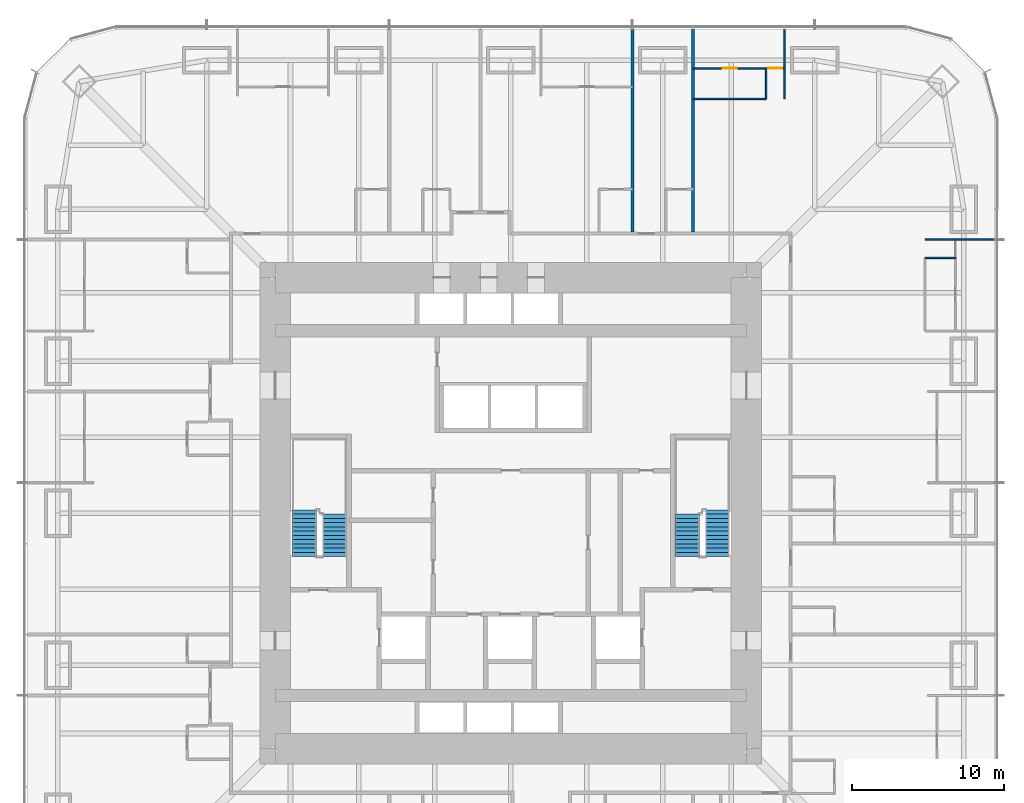
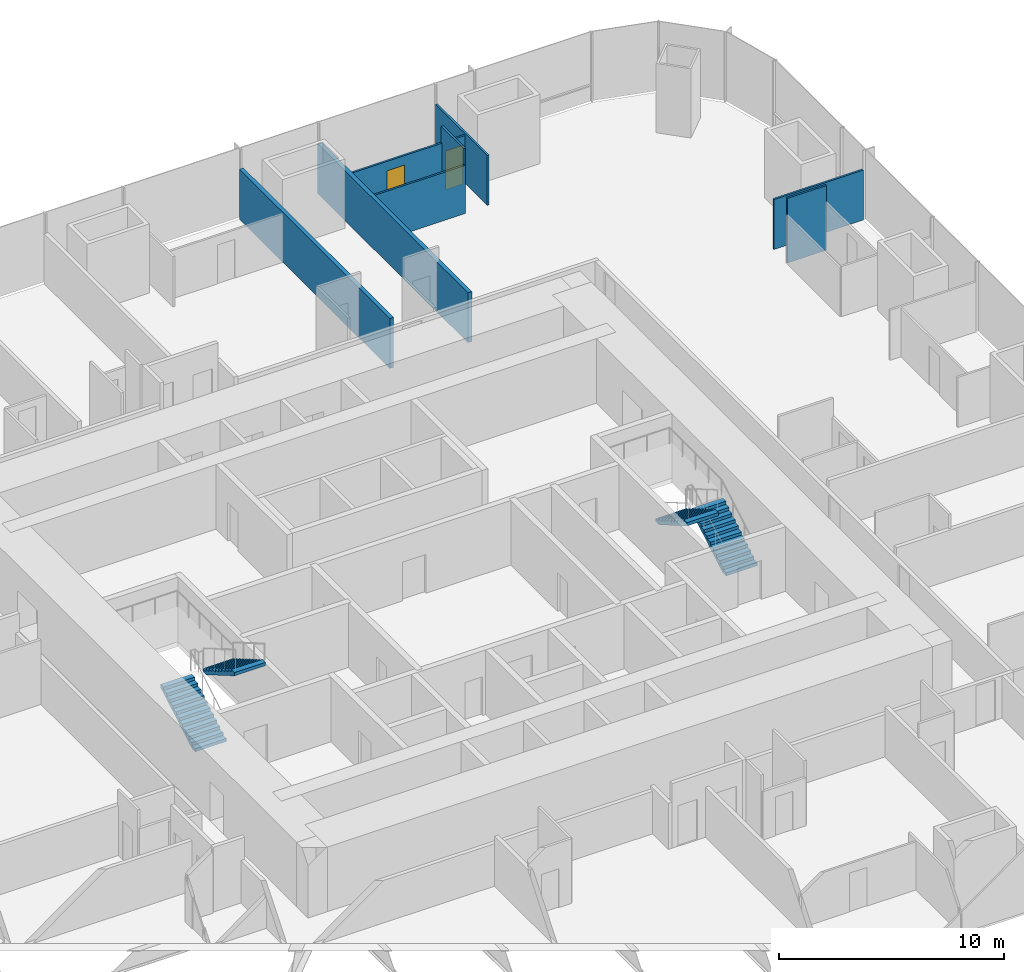
# One storey, part 19 of 20: 8 walls, 4 stair flights, 2 doors, 2 openings, 2 elements without a shape of their own.
"""IFC4 building model written with IfcOpenShell, lengths in metres."""

from ifc_helpers import new_model, si_unit, direction, frame, frame_2d, origin, place, context, subcontext, project, spatial, polyline, rectangle, outline, extrude, material, layer, layer_set, type_object, element, fill, aggregate, save


model = new_model("IFC4")

# Units and contexts
model_context = context("Model", 3, precision=1e-05, world=origin(), true_north=direction((0.0, 1.0)))
body_context = subcontext(model_context, "Body", "Model", "MODEL_VIEW")
ifc_project = project(units=[si_unit("LENGTHUNIT", "METRE"), si_unit("AREAUNIT", "SQUARE_METRE"), si_unit("VOLUMEUNIT", "CUBIC_METRE"), si_unit("PLANEANGLEUNIT", "RADIAN"), si_unit("MASSUNIT", "GRAM", prefix="KILO")], contexts=[model_context])

# Site, building, storey
site_placement = place(None, origin())
site = spatial("IfcSite", under=ifc_project, at=site_placement, CompositionType="ELEMENT")
building_placement = place(site_placement, origin())
building = spatial("IfcBuilding", under=site, at=building_placement, Name="Khuree Lantern Residences", CompositionType="ELEMENT")
storey_placement = place(building_placement, frame((0.0, 0.0, 28.5)))
storey = spatial("IfcBuildingStorey", under=building, at=storey_placement, Name="L06", CompositionType="ELEMENT", Elevation=28.5)

# Walls
ifc_material_1 = material(Name="Gypsum board on steel studs", Category="steel")
ifc_layer_1 = layer(ifc_material_1, 0.199951171875)
ifc_layer_set_1 = layer_set([ifc_layer_1], Name="DEMISING WALL DMW200 EI 90")
wall_type_1 = type_object("IfcWallType", Name="DEMISING WALL DMW200 EI 90", PredefinedType="PARTITIONING", material=ifc_layer_set_1)
for number, where, z_axis, x_axis, name in (
    (1, (12.0, 18.5, 0.0), (0.0, 0.0, 1.0), (0.0, 1.0, 0.0), "L06 DEMISING WALL 03"),
    (2, (8.0, 18.5, 0.0), (0.0, 0.0, 1.0), (0.0, 1.0, 0.0), "L06 DEMISING WALL 04"),
):
    element("IfcWall", number, at=place(storey_placement, frame(where, z_axis=z_axis, x_axis=x_axis)), inside=storey, type_object=wall_type_1, Name=name, PredefinedType="PARTITIONING", context=body_context, shape_type="SweptSolid", body=[
        extrude(rectangle(XDim=13.35009765625, YDim=0.199951171875, at=frame_2d((6.675048828125, 0.0))), origin(), (0.0, 0.0, 1.0), 2.7099609375),
    ])
ifc_layer_2 = layer(ifc_material_1, 0.10009765625)
ifc_layer_set_2 = layer_set([ifc_layer_2], Name="PARTITION PT100")
wall_type_2 = type_object("IfcWallType", Name="PARTITION PT100", PredefinedType="PARTITIONING", material=ifc_layer_set_2)
for number, where, z_axis, x_axis, name in (
    (3, (27.2666015625, 18.0, 0.0), (0.0, 0.0, 1.0), (1.0, 0.0, 0.0), "L06 PARTITION 02"),
    (4, (18.0, 27.2666015625, 0.0), (0.0, 0.0, 1.0), (0.0, 1.0, 0.0), "L06 PARTITION 02"),
):
    element("IfcWall", number, at=place(storey_placement, frame(where, z_axis=z_axis, x_axis=x_axis)), inside=storey, type_object=wall_type_2, Name=name, PredefinedType="PARTITIONING", context=body_context, shape_type="SweptSolid", body=[
        extrude(rectangle(XDim=4.58349609375, YDim=0.10009765625, at=frame_2d((2.291748046875, 0.0))), origin(), (0.0, 0.0, 1.0), 2.7099609375),
    ])
wall_1_placement = place(storey_placement, frame((27.2666015625, 16.800048828125, 0.0), z_axis=(0.0, 0.0, 1.0), x_axis=(1.0, 0.0, 0.0)))
element("IfcWall", 5, at=wall_1_placement, inside=storey, type_object=wall_type_2, Name="L06 PARTITION 02", PredefinedType="PARTITIONING", context=body_context, shape_type="SweptSolid", body=[
    extrude(rectangle(XDim=2.0, YDim=0.10009765625, at=frame_2d((1.0, 0.0))), origin(), (0.0, 0.0, 1.0), 3.5),
])

# Wall, openings, doors
wall_2_placement = place(storey_placement, frame((18.0, 29.2666015625, 0.0), z_axis=(0.0, 0.0, 1.0), x_axis=(-1.0, 0.0, 0.0)))
wall_2 = element("IfcWall", 6, at=wall_2_placement, inside=storey, type_object=wall_type_2, Name="L06 PARTITION 02", PredefinedType="PARTITIONING", context=body_context, shape_type="SweptSolid", body=[
    extrude(rectangle(XDim=6.0, YDim=0.10009765625, at=frame_2d((3.0, 0.0))), origin(), (0.0, 0.0, 1.0), 2.610107421875),
])
opening_1_placement = place(wall_2_placement, frame((0.14990234375, 0.0, 0.0)))
opening_1 = element("IfcOpeningElement", 7, at=opening_1_placement, cuts=wall_2, Name="Opening 06-026", PredefinedType="OPENING", context=body_context, shape_type="SweptSolid", body=[
    extrude(rectangle(XDim=0.89990234375, YDim=2.10009765625, at=frame_2d((0.449951171875, 1.050048828125))), frame((0.0, 0.06005859375, 0.0), z_axis=(0.0, -1.0, 0.0), x_axis=(1.0, 0.0, 0.0)), (0.0, 0.0, 1.0), 0.1201171875),
])
opening_2_placement = place(wall_2_placement, frame((3.14990234375, 0.0, 0.0)))
opening_2 = element("IfcOpeningElement", 8, at=opening_2_placement, cuts=wall_2, Name="Opening 06-027", PredefinedType="OPENING", context=body_context, shape_type="SweptSolid", body=[
    extrude(rectangle(XDim=0.89990234375, YDim=2.10009765625, at=frame_2d((0.449951171875, 1.050048828125))), frame((0.0, 0.06005859375, 0.0), z_axis=(0.0, -1.0, 0.0), x_axis=(1.0, 0.0, 0.0)), (0.0, 0.0, 1.0), 0.1201171875),
])
ifc_material_2 = material(Name="Timber door leaf in hardwood frame", Category="wood")
door_type_1 = type_object("IfcDoorType", Name="BEDROOM DOOR 900X2100", OperationType="SINGLE_SWING_LEFT", PredefinedType="DOOR", material=ifc_material_2)
door_1_placement = place(opening_1_placement, origin())
door_1 = element("IfcDoor", 9, at=door_1_placement, inside=storey, type_object=door_type_1, Name="Bedroom door 06-026", OperationType="SINGLE_SWING_LEFT", OverallHeight=2.10009765625, OverallWidth=0.89990234375, PredefinedType="DOOR", context=body_context, shape_type="SweptSolid", body=[
    extrude(rectangle(XDim=0.89990234375, YDim=2.10009765625, at=frame_2d((0.449951171875, 1.050048828125))), frame((0.0, 0.02490234375, 0.0), z_axis=(0.0, -1.0, 0.0), x_axis=(1.0, 0.0, 0.0)), (0.0, 0.0, 1.0), 0.050048828125),
])
fill(opening_1, door_1)
door_type_2 = type_object("IfcDoorType", Name="DOOR 900X2100", OperationType="SINGLE_SWING_LEFT", PredefinedType="DOOR", material=ifc_material_2)
door_2_placement = place(opening_2_placement, origin())
door_2 = element("IfcDoor", 10, at=door_2_placement, inside=storey, type_object=door_type_2, Name="Wardrobe door 06-027", OperationType="SINGLE_SWING_LEFT", OverallHeight=2.10009765625, OverallWidth=0.89990234375, PredefinedType="DOOR", context=body_context, shape_type="SweptSolid", body=[
    extrude(rectangle(XDim=0.89990234375, YDim=2.10009765625, at=frame_2d((0.449951171875, 1.050048828125))), frame((0.0, 0.02490234375, 0.0), z_axis=(0.0, -1.0, 0.0), x_axis=(1.0, 0.0, 0.0)), (0.0, 0.0, 1.0), 0.050048828125),
])
fill(opening_2, door_2)

# Walls
wall_3_placement = place(storey_placement, frame((16.800048828125, 27.2666015625, 0.0), z_axis=(0.0, 0.0, 1.0), x_axis=(0.0, 1.0, 0.0)))
element("IfcWall", 11, at=wall_3_placement, inside=storey, type_object=wall_type_2, Name="L06 PARTITION 02", PredefinedType="PARTITIONING", context=body_context, shape_type="SweptSolid", body=[
    extrude(rectangle(XDim=2.0, YDim=0.10009765625, at=frame_2d((1.0, 0.0))), origin(), (0.0, 0.0, 1.0), 3.5),
])
wall_4_placement = place(storey_placement, frame((16.800048828125, 27.2666015625, 0.0), z_axis=(0.0, 0.0, 1.0), x_axis=(-1.0, 0.0, 0.0)))
element("IfcWall", 12, at=wall_4_placement, inside=storey, type_object=wall_type_2, Name="L06 PARTITION 02", PredefinedType="PARTITIONING", context=body_context, shape_type="SweptSolid", body=[
    extrude(rectangle(XDim=4.800048828125, YDim=0.10009765625, at=frame_2d((2.39990234375, 0.0))), origin(), (0.0, 0.0, 1.0), 2.610107421875),
])

# Stair, stair flights
ifc_material_3 = material(Name="Concrete C40/50", Category="concrete")
stair_type = type_object("IfcStairType", Name="STAIR ST1 HALF TURN 3600", PredefinedType="HALF_TURN_STAIR", material=ifc_material_3)
stair_1_placement = place(storey_placement, origin())
stair_1 = element("IfcStair", 13, at=stair_1_placement, inside=storey, type_object=stair_type, Name="Stair ST1", PredefinedType="HALF_TURN_STAIR")
stair_flight_type = type_object("IfcStairFlightType", Name="STAIR FLIGHT SF1 1600", PredefinedType="STRAIGHT", material=ifc_material_3)
stair_flight_1_placement = place(storey_placement, frame((-13.60009765625, -2.860107421875, 0.0), z_axis=(0.0, 0.0, 1.0), x_axis=(0.0, 1.0, 0.0)))
stair_flight_1 = element("IfcStairFlight", 14, at=stair_flight_1_placement, type_object=stair_flight_type, Name="ST1 flight 1", NumberOfRisers=12, NumberOfTreads=11, PredefinedType="STRAIGHT", RiserHeight=0.163043478, TreadLength=0.28, context=body_context, shape_type="SweptSolid", body=[
    extrude(outline(polyline([(0.0, 0.0), (0.0, 0.1630859375), (0.280029296875, 0.1630859375), (0.280029296875, 0.326171875), (0.56005859375, 0.326171875), (0.56005859375, 0.489013671875), (0.840087890625, 0.489013671875), (0.840087890625, 0.652099609375), (1.1201171875, 0.652099609375), (1.1201171875, 0.815185546875), (1.39990234375, 0.815185546875), (1.39990234375, 0.978271484375), (1.679931640625, 0.978271484375), (1.679931640625, 1.141357421875), (1.9599609375, 1.141357421875), (1.9599609375, 1.304443359375), (2.239990234375, 1.304443359375), (2.239990234375, 1.46728515625), (2.52001953125, 1.46728515625), (2.52001953125, 1.63037109375), (2.800048828125, 1.63037109375), (2.800048828125, 1.79345703125), (3.080078125, 1.79345703125), (3.080078125, 1.95654296875), (3.080078125, 1.6201171875), (0.2978515625, 0.0), (0.0, 0.0)])), frame((0.0, 0.800048828125, 0.0), z_axis=(0.0, -1.0, 0.0), x_axis=(1.0, 0.0, 0.0)), (0.0, 0.0, 1.0), 1.60009765625),
])
stair_flight_2_placement = place(storey_placement, frame((-11.60009765625, -0.06005859375, 1.95654296875), z_axis=(0.0, 0.0, 1.0), x_axis=(0.0, -1.0, 0.0)))
stair_flight_2 = element("IfcStairFlight", 15, at=stair_flight_2_placement, type_object=stair_flight_type, Name="ST1 flight 2", NumberOfRisers=11, NumberOfTreads=10, PredefinedType="STRAIGHT", RiserHeight=0.163043478, TreadLength=0.28, context=body_context, shape_type="SweptSolid", body=[
    extrude(outline(polyline([(0.0, 0.0), (0.0, 0.1630859375), (0.280029296875, 0.1630859375), (0.280029296875, 0.326171875), (0.56005859375, 0.326171875), (0.56005859375, 0.489013671875), (0.840087890625, 0.489013671875), (0.840087890625, 0.652099609375), (1.1201171875, 0.652099609375), (1.1201171875, 0.815185546875), (1.39990234375, 0.815185546875), (1.39990234375, 0.978271484375), (1.679931640625, 0.978271484375), (1.679931640625, 1.141357421875), (1.9599609375, 1.141357421875), (1.9599609375, 1.304443359375), (2.239990234375, 1.304443359375), (2.239990234375, 1.46728515625), (2.52001953125, 1.46728515625), (2.52001953125, 1.63037109375), (2.800048828125, 1.63037109375), (2.800048828125, 1.79345703125), (2.800048828125, 1.45703125), (0.2978515625, 0.0), (0.0, 0.0)])), frame((0.0, 0.800048828125, 0.0), z_axis=(0.0, -1.0, 0.0), x_axis=(1.0, 0.0, 0.0)), (0.0, 0.0, 1.0), 1.60009765625),
])
aggregate(stair_1, [stair_flight_1, stair_flight_2])

stair_2_placement = place(storey_placement, origin())
stair_2 = element("IfcStair", 16, at=stair_2_placement, inside=storey, type_object=stair_type, Name="Stair ST2", PredefinedType="HALF_TURN_STAIR")
stair_flight_3_placement = place(storey_placement, frame((13.60009765625, -2.860107421875, 0.0), z_axis=(0.0, 0.0, 1.0), x_axis=(0.0, 1.0, 0.0)))
stair_flight_3 = element("IfcStairFlight", 17, at=stair_flight_3_placement, type_object=stair_flight_type, Name="ST2 flight 1", NumberOfRisers=12, NumberOfTreads=11, PredefinedType="STRAIGHT", RiserHeight=0.163043478, TreadLength=0.28, context=body_context, shape_type="SweptSolid", body=[
    extrude(outline(polyline([(0.0, 0.0), (0.0, 0.1630859375), (0.280029296875, 0.1630859375), (0.280029296875, 0.326171875), (0.56005859375, 0.326171875), (0.56005859375, 0.489013671875), (0.840087890625, 0.489013671875), (0.840087890625, 0.652099609375), (1.1201171875, 0.652099609375), (1.1201171875, 0.815185546875), (1.39990234375, 0.815185546875), (1.39990234375, 0.978271484375), (1.679931640625, 0.978271484375), (1.679931640625, 1.141357421875), (1.9599609375, 1.141357421875), (1.9599609375, 1.304443359375), (2.239990234375, 1.304443359375), (2.239990234375, 1.46728515625), (2.52001953125, 1.46728515625), (2.52001953125, 1.63037109375), (2.800048828125, 1.63037109375), (2.800048828125, 1.79345703125), (3.080078125, 1.79345703125), (3.080078125, 1.95654296875), (3.080078125, 1.6201171875), (0.2978515625, 0.0), (0.0, 0.0)])), frame((0.0, 0.800048828125, 0.0), z_axis=(0.0, -1.0, 0.0), x_axis=(1.0, 0.0, 0.0)), (0.0, 0.0, 1.0), 1.60009765625),
])
stair_flight_4_placement = place(storey_placement, frame((11.60009765625, -0.06005859375, 1.95654296875), z_axis=(0.0, 0.0, 1.0), x_axis=(0.0, -1.0, 0.0)))
stair_flight_4 = element("IfcStairFlight", 18, at=stair_flight_4_placement, type_object=stair_flight_type, Name="ST2 flight 2", NumberOfRisers=11, NumberOfTreads=10, PredefinedType="STRAIGHT", RiserHeight=0.163043478, TreadLength=0.28, context=body_context, shape_type="SweptSolid", body=[
    extrude(outline(polyline([(0.0, 0.0), (0.0, 0.1630859375), (0.280029296875, 0.1630859375), (0.280029296875, 0.326171875), (0.56005859375, 0.326171875), (0.56005859375, 0.489013671875), (0.840087890625, 0.489013671875), (0.840087890625, 0.652099609375), (1.1201171875, 0.652099609375), (1.1201171875, 0.815185546875), (1.39990234375, 0.815185546875), (1.39990234375, 0.978271484375), (1.679931640625, 0.978271484375), (1.679931640625, 1.141357421875), (1.9599609375, 1.141357421875), (1.9599609375, 1.304443359375), (2.239990234375, 1.304443359375), (2.239990234375, 1.46728515625), (2.52001953125, 1.46728515625), (2.52001953125, 1.63037109375), (2.800048828125, 1.63037109375), (2.800048828125, 1.79345703125), (2.800048828125, 1.45703125), (0.2978515625, 0.0), (0.0, 0.0)])), frame((0.0, 0.800048828125, 0.0), z_axis=(0.0, -1.0, 0.0), x_axis=(1.0, 0.0, 0.0)), (0.0, 0.0, 1.0), 1.60009765625),
])
aggregate(stair_2, [stair_flight_3, stair_flight_4])

save(model, "model.ifc")
